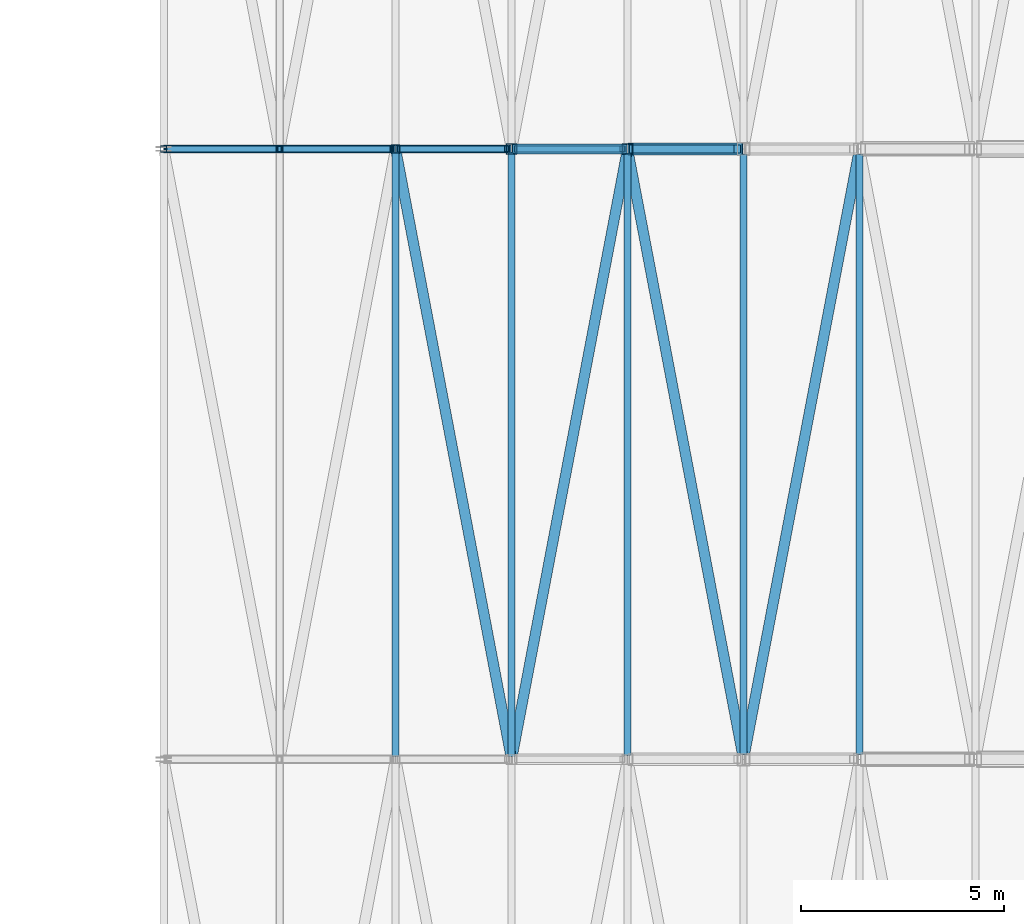
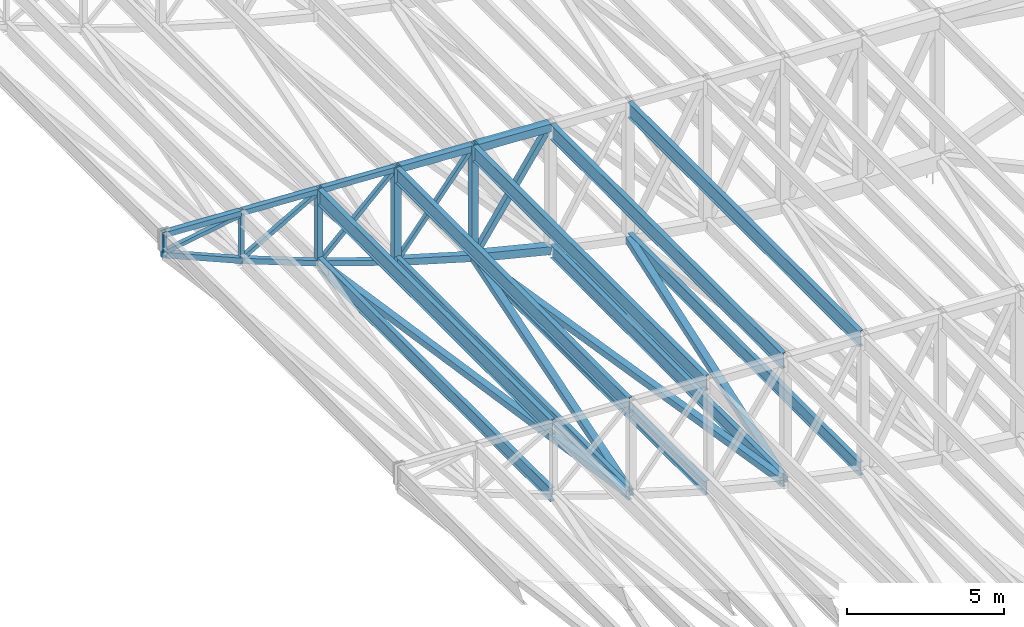
# One storey, part 59 of 278: 19 members, 15 beams.
"""IFC4 building model written with IfcOpenShell, lengths in metres."""

from ifc_helpers import new_model, si_unit, direction, frame, origin, origin_2d, place, context, subcontext, project, spatial, hollow_rectangle, i_section, extrude, material, material_profile, profile_set, type_object, element, save


model = new_model("IFC4")

# Units and contexts
model_context = context("Model", 3, precision=1e-05, world=origin(), true_north=direction((0.0, 1.0)))
body_context = subcontext(model_context, "Body", "Model", "MODEL_VIEW")
ifc_project = project(units=[si_unit("LENGTHUNIT", "METRE"), si_unit("AREAUNIT", "SQUARE_METRE"), si_unit("VOLUMEUNIT", "CUBIC_METRE"), si_unit("PLANEANGLEUNIT", "RADIAN"), si_unit("MASSUNIT", "GRAM", prefix="KILO")], contexts=[model_context])

# Site, building, storey
site_placement = place(None, origin())
site = spatial("IfcSite", under=ifc_project, at=site_placement, CompositionType="ELEMENT")
building_placement = place(site_placement, origin())
building = spatial("IfcBuilding", under=site, at=building_placement, Name="Ogive Plaza Stadium", CompositionType="ELEMENT")
storey_placement = place(building_placement, frame((0.0, 0.0, 29.0)))
storey = spatial("IfcBuildingStorey", under=building, at=storey_placement, Name="Roof", CompositionType="ELEMENT", Elevation=29.0)

# Members
ifc_material_1 = material(Name="Steel ASTM A500 Grade C", Category="steel")
ifc_material_profile_1 = material_profile(ifc_material_1, hollow_rectangle(XDim=0.25390625, YDim=0.25390625, WallThickness=0.0087890625, at=origin_2d()), Name="HSS10X10X3/8")
ifc_profile_set_1 = profile_set([ifc_material_profile_1], Name="Steel ASTM A500 Grade C")
member_type_1 = type_object("IfcMemberType", Name="Roof plan brace HSS10X10X3/8", PredefinedType="BRACE", material=ifc_profile_set_1)
member_1_placement = place(storey_placement, frame((51.21826171875, 22.404052734375, 4.20751953125), z_axis=(0.186305134019, -0.980575459807, -0.061336487198), x_axis=(0.982425223956, 0.186656581279, 0.0)))
element("IfcMember", 1, at=member_1_placement, inside=storey, type_object=member_type_1, Name="ROOF BRACE B03 3", PredefinedType="BRACE", context=body_context, shape_type="SweptSolid", body=[
    extrude(hollow_rectangle(XDim=0.25390625, YDim=0.25390625, WallThickness=0.0087890625, at=origin_2d()), origin(), (0.0, 0.0, 1.0), 15.1015625),
])
member_2_placement = place(storey_placement, frame((54.068115234375, 7.595947265625, 3.27001953125), z_axis=(0.186406461707, 0.981044003163, -0.052965034622), x_axis=(-0.982422964001, 0.186668475654, 0.0)))
element("IfcMember", 2, at=member_2_placement, inside=storey, type_object=member_type_1, Name="ROOF BRACE B03 4", PredefinedType="BRACE", context=body_context, shape_type="SweptSolid", body=[
    extrude(hollow_rectangle(XDim=0.25390625, YDim=0.25390625, WallThickness=0.0087890625, at=origin_2d()), origin(), (0.0, 0.0, 1.0), 15.068359375),
])
member_3_placement = place(storey_placement, frame((56.923095703125, 22.378662109375, 2.459716796875), z_axis=(0.186461324063, -0.981373677857, -0.046237204039), x_axis=(0.982424391989, 0.186660960097, 0.0)))
element("IfcMember", 3, at=member_3_placement, inside=storey, type_object=member_type_1, Name="ROOF BRACE B03 5", PredefinedType="BRACE", context=body_context, shape_type="SweptSolid", body=[
    extrude(hollow_rectangle(XDim=0.25390625, YDim=0.25390625, WallThickness=0.0087890625, at=origin_2d()), origin(), (0.0, 0.0, 1.0), 15.011474609375),
])
member_4_placement = place(storey_placement, frame((59.77783203125, 7.646728515625, 1.753173828125), z_axis=(0.186534960176, 0.981781820104, -0.036182403809), x_axis=(-0.982425109661, 0.186657182843, 0.0)))
element("IfcMember", 4, at=member_4_placement, inside=storey, type_object=member_type_1, Name="ROOF BRACE B03 6", PredefinedType="BRACE", context=body_context, shape_type="SweptSolid", body=[
    extrude(hollow_rectangle(XDim=0.25390625, YDim=0.25390625, WallThickness=0.0087890625, at=origin_2d()), origin(), (0.0, 0.0, 1.0), 14.9794921875),
])
ifc_material_2 = material(Name="Steel ASTM A992 Grade 50", Category="steel")
ifc_material_profile_2 = material_profile(ifc_material_2, i_section(OverallWidth=0.1650390625, OverallDepth=0.524658203125, WebThickness=0.0087890625, FlangeThickness=0.011474609375, at=origin_2d()), Name="W21X44")
ifc_profile_set_2 = profile_set([ifc_material_profile_2], Name="Steel ASTM A992 Grade 50")
member_type_2 = type_object("IfcMemberType", Name="Roof plan strut W21X44", PredefinedType="STRUT", material=ifc_profile_set_2)
for number, where, z_axis, x_axis, name in (
    (5, (51.199951171875, 22.428466796875, 4.213623046875), (0.0, -1.0, 0.0), (1.0, 0.0, 0.0), "ROOF STRUT B03 2"),
    (6, (54.050048828125, 22.428466796875, 3.275146484375), (0.0, -1.0, 0.0), (1.0, 0.0, 0.0), "ROOF STRUT B03 3"),
):
    element("IfcMember", number, at=place(storey_placement, frame(where, z_axis=z_axis, x_axis=x_axis)), inside=storey, type_object=member_type_2, Name=name, PredefinedType="STRUT", context=body_context, shape_type="SweptSolid", body=[
        extrude(i_section(OverallWidth=0.1650390625, OverallDepth=0.524658203125, WebThickness=0.0087890625, FlangeThickness=0.011474609375, at=origin_2d()), origin(), (0.0, 0.0, 1.0), 14.85693359375),
    ])
member_5_placement = place(storey_placement, frame((56.89990234375, 22.403076171875, 2.46533203125), z_axis=(0.0, -1.0, 0.0), x_axis=(1.0, 0.0, 0.0)))
element("IfcMember", 7, at=member_5_placement, inside=storey, type_object=member_type_2, Name="ROOF STRUT B03 4", PredefinedType="STRUT", context=body_context, shape_type="SweptSolid", body=[
    extrude(i_section(OverallWidth=0.1650390625, OverallDepth=0.524658203125, WebThickness=0.0087890625, FlangeThickness=0.011474609375, at=origin_2d()), origin(), (0.0, 0.0, 1.0), 14.80615234375),
])
for number, where, z_axis, x_axis, name in (
    (8, (59.75, 22.377685546875, 1.758544921875), (0.0, -1.0, 0.0), (1.0, 0.0, 0.0), "ROOF STRUT B03 5"),
    (9, (62.60009765625, 22.377685546875, 1.205810546875), (0.0, -1.0, 0.0), (1.0, 0.0, 0.0), "ROOF STRUT B03 6"),
):
    element("IfcMember", number, at=place(storey_placement, frame(where, z_axis=z_axis, x_axis=x_axis)), inside=storey, type_object=member_type_2, Name=name, PredefinedType="STRUT", context=body_context, shape_type="SweptSolid", body=[
        extrude(i_section(OverallWidth=0.1650390625, OverallDepth=0.524658203125, WebThickness=0.0087890625, FlangeThickness=0.011474609375, at=origin_2d()), origin(), (0.0, 0.0, 1.0), 14.75537109375),
    ])
ifc_material_3 = material(Name="Steel ASTM A992 Grade 50", Category="steel")
ifc_material_profile_3 = material_profile(ifc_material_3, i_section(OverallWidth=0.177978515625, OverallDepth=0.5986328125, WebThickness=0.010009765625, FlangeThickness=0.012939453125, at=origin_2d()), Name="W24X55")
ifc_profile_set_3 = profile_set([ifc_material_profile_3], Name="Steel ASTM A992 Grade 50")
member_type_3 = type_object("IfcMemberType", Name="Roof purlin W24X55", PredefinedType="PURLIN", material=ifc_profile_set_3)
for number, where, z_axis, x_axis, name in (
    (10, (51.199951171875, 22.428466796875, 6.840576171875), (0.0, -1.0, 0.0), (1.0, 0.0, 0.0), "ROOF PURLIN B03 2"),
    (11, (54.050048828125, 22.428466796875, 6.6982421875), (0.0, -1.0, 0.0), (1.0, 0.0, 0.0), "ROOF PURLIN B03 3"),
):
    element("IfcMember", number, at=place(storey_placement, frame(where, z_axis=z_axis, x_axis=x_axis)), inside=storey, type_object=member_type_3, Name=name, PredefinedType="PURLIN", context=body_context, shape_type="SweptSolid", body=[
        extrude(i_section(OverallWidth=0.177978515625, OverallDepth=0.5986328125, WebThickness=0.010009765625, FlangeThickness=0.012939453125, at=origin_2d()), origin(), (0.0, 0.0, 1.0), 14.85693359375),
    ])
member_6_placement = place(storey_placement, frame((56.89990234375, 22.403076171875, 6.5556640625), z_axis=(0.0, -1.0, 0.0), x_axis=(1.0, 0.0, 0.0)))
element("IfcMember", 12, at=member_6_placement, inside=storey, type_object=member_type_3, Name="ROOF PURLIN B03 4", PredefinedType="PURLIN", context=body_context, shape_type="SweptSolid", body=[
    extrude(i_section(OverallWidth=0.177978515625, OverallDepth=0.5986328125, WebThickness=0.010009765625, FlangeThickness=0.012939453125, at=origin_2d()), origin(), (0.0, 0.0, 1.0), 14.80615234375),
])
for number, where, z_axis, x_axis, name in (
    (13, (59.75, 22.377685546875, 6.4130859375), (0.0, -1.0, 0.0), (1.0, 0.0, 0.0), "ROOF PURLIN B03 5"),
    (14, (62.60009765625, 22.377685546875, 6.270751953125), (0.0, -1.0, 0.0), (1.0, 0.0, 0.0), "ROOF PURLIN B03 6"),
):
    element("IfcMember", number, at=place(storey_placement, frame(where, z_axis=z_axis, x_axis=x_axis)), inside=storey, type_object=member_type_3, Name=name, PredefinedType="PURLIN", context=body_context, shape_type="SweptSolid", body=[
        extrude(i_section(OverallWidth=0.177978515625, OverallDepth=0.5986328125, WebThickness=0.010009765625, FlangeThickness=0.012939453125, at=origin_2d()), origin(), (0.0, 0.0, 1.0), 14.75537109375),
    ])

# Beams
ifc_material_4 = material(Name="Steel ASTM A500 Grade C", Category="steel")
ifc_material_profile_4 = material_profile(ifc_material_4, hollow_rectangle(XDim=0.25390625, YDim=0.25390625, WallThickness=0.01171875, at=origin_2d()), Name="HSS10X10X1/2")
ifc_profile_set_4 = profile_set([ifc_material_profile_4], Name="Steel ASTM A500 Grade C")
beam_type_1 = type_object("IfcBeamType", Name="Roof truss bottom chord HSS10X10X1/2", PredefinedType="BEAM", material=ifc_profile_set_4)
beam_1_placement = place(storey_placement, frame((54.10009765625, 22.5, 3.265869140625), z_axis=(0.959640437259, 0.0, -0.281229854705), x_axis=(0.0, 1.0, 0.0)))
element("IfcBeam", 15, at=beam_1_placement, inside=storey, type_object=beam_type_1, Name="ROOF TRUSS T03 BOTTOM CHORD 4", PredefinedType="BEAM", context=body_context, shape_type="SweptSolid", body=[
    extrude(hollow_rectangle(XDim=0.25390625, YDim=0.25390625, WallThickness=0.01171875, at=origin_2d()), origin(), (0.0, 0.0, 1.0), 2.86572265625),
])
ifc_material_5 = material(Name="Steel ASTM A500 Grade C", Category="steel")
ifc_material_profile_5 = material_profile(ifc_material_5, hollow_rectangle(XDim=0.3046875, YDim=0.3046875, WallThickness=0.0146484375, at=origin_2d()), Name="HSS12X12X5/8")
ifc_profile_set_5 = profile_set([ifc_material_profile_5], Name="Steel ASTM A500 Grade C")
beam_type_2 = type_object("IfcBeamType", Name="Roof truss bottom chord HSS12X12X5/8", PredefinedType="BEAM", material=ifc_profile_set_5)
beam_2_placement = place(storey_placement, frame((56.949951171875, 22.5, 2.45751953125), z_axis=(0.970607032995, 0.0, -0.240669872439), x_axis=(0.0, 1.0, 0.0)))
element("IfcBeam", 16, at=beam_2_placement, inside=storey, type_object=beam_type_2, Name="ROOF TRUSS T03 BOTTOM CHORD 5", PredefinedType="BEAM", context=body_context, shape_type="SweptSolid", body=[
    extrude(hollow_rectangle(XDim=0.3046875, YDim=0.3046875, WallThickness=0.0146484375, at=origin_2d()), origin(), (0.0, 0.0, 1.0), 2.833251953125),
])
ifc_material_6 = material(Name="Steel ASTM A500 Grade C", Category="steel")
ifc_material_profile_6 = material_profile(ifc_material_6, hollow_rectangle(XDim=0.203125, YDim=0.203125, WallThickness=0.01171875, at=origin_2d()), Name="HSS8X8X1/2")
ifc_profile_set_6 = profile_set([ifc_material_profile_6], Name="Steel ASTM A500 Grade C")
beam_type_3 = type_object("IfcBeamType", Name="Roof truss bottom chord HSS8X8X1/2", PredefinedType="BEAM", material=ifc_profile_set_6)
beam_3_placement = place(storey_placement, frame((45.5400390625, 22.5, 6.518310546875), z_axis=(0.919215459426, 0.0, -0.393754922702), x_axis=(0.0, 1.0, 0.0)))
element("IfcBeam", 17, at=beam_3_placement, inside=storey, type_object=beam_type_3, Name="ROOF TRUSS T03 BOTTOM CHORD 1", PredefinedType="BEAM", context=body_context, shape_type="SweptSolid", body=[
    extrude(hollow_rectangle(XDim=0.203125, YDim=0.203125, WallThickness=0.01171875, at=origin_2d()), origin(), (0.0, 0.0, 1.0), 3.04736328125),
])
beam_4_placement = place(storey_placement, frame((48.386474609375, 22.5, 5.299072265625), z_axis=(0.933780874892, 0.0, -0.357845326484), x_axis=(0.0, 1.0, 0.0)))
element("IfcBeam", 18, at=beam_4_placement, inside=storey, type_object=beam_type_3, Name="ROOF TRUSS T03 BOTTOM CHORD 2", PredefinedType="BEAM", context=body_context, shape_type="SweptSolid", body=[
    extrude(hollow_rectangle(XDim=0.203125, YDim=0.203125, WallThickness=0.01171875, at=origin_2d()), origin(), (0.0, 0.0, 1.0), 2.97314453125),
])
beam_5_placement = place(storey_placement, frame((51.24072265625, 22.5, 4.20556640625), z_axis=(0.947299736415, 0.0, -0.320348574817), x_axis=(0.0, 1.0, 0.0)))
element("IfcBeam", 19, at=beam_5_placement, inside=storey, type_object=beam_type_3, Name="ROOF TRUSS T03 BOTTOM CHORD 3", PredefinedType="BEAM", context=body_context, shape_type="SweptSolid", body=[
    extrude(hollow_rectangle(XDim=0.203125, YDim=0.203125, WallThickness=0.01171875, at=origin_2d()), origin(), (0.0, 0.0, 1.0), 2.912841796875),
])

# Members
ifc_material_7 = material(Name="Steel ASTM A500 Grade C", Category="steel")
ifc_material_profile_7 = material_profile(ifc_material_7, hollow_rectangle(XDim=0.15234375, YDim=0.15234375, WallThickness=0.005859375, at=origin_2d()), Name="HSS6X6X1/4")
ifc_profile_set_7 = profile_set([ifc_material_profile_7], Name="Steel ASTM A500 Grade C")
member_type_4 = type_object("IfcMemberType", Name="Roof truss diagonal HSS6X6X1/4", PredefinedType="BRACE", material=ifc_profile_set_7)
member_7_placement = place(storey_placement, frame((45.576171875, 22.5, 6.628173828125), z_axis=(0.986299671123, 0.0, 0.164963507307), x_axis=(0.0, 1.0, 0.0)))
element("IfcMember", 20, at=member_7_placement, inside=storey, type_object=member_type_4, Name="ROOF TRUSS T03 DIAGONAL 1", PredefinedType="BRACE", context=body_context, shape_type="SweptSolid", body=[
    extrude(hollow_rectangle(XDim=0.15234375, YDim=0.15234375, WallThickness=0.005859375, at=origin_2d()), origin(), (0.0, 0.0, 1.0), 2.73486328125),
])
member_8_placement = place(storey_placement, frame((48.42626953125, 22.5, 5.407470703125), z_axis=(0.8679111184, 0.0, 0.496719529069), x_axis=(0.0, 1.0, 0.0)))
element("IfcMember", 21, at=member_8_placement, inside=storey, type_object=member_type_4, Name="ROOF TRUSS T03 DIAGONAL 2", PredefinedType="BRACE", context=body_context, shape_type="SweptSolid", body=[
    extrude(hollow_rectangle(XDim=0.15234375, YDim=0.15234375, WallThickness=0.005859375, at=origin_2d()), origin(), (0.0, 0.0, 1.0), 3.078857421875),
])
ifc_material_8 = material(Name="Steel ASTM A500 Grade C", Category="steel")
ifc_material_profile_8 = material_profile(ifc_material_8, hollow_rectangle(XDim=0.15234375, YDim=0.15234375, WallThickness=0.0087890625, at=origin_2d()), Name="HSS6X6X3/8")
ifc_profile_set_8 = profile_set([ifc_material_profile_8], Name="Steel ASTM A500 Grade C")
member_type_5 = type_object("IfcMemberType", Name="Roof truss diagonal HSS6X6X3/8", PredefinedType="BRACE", material=ifc_profile_set_8)
member_9_placement = place(storey_placement, frame((51.301513671875, 22.5, 4.315185546875), z_axis=(0.726588919749, 0.0, 0.687072442832), x_axis=(0.0, 1.0, 0.0)))
element("IfcMember", 22, at=member_9_placement, inside=storey, type_object=member_type_5, Name="ROOF TRUSS T03 DIAGONAL 3", PredefinedType="BRACE", context=body_context, shape_type="SweptSolid", body=[
    extrude(hollow_rectangle(XDim=0.15234375, YDim=0.15234375, WallThickness=0.0087890625, at=origin_2d()), origin(), (0.0, 0.0, 1.0), 3.608154296875),
])
member_10_placement = place(storey_placement, frame((54.177001953125, 22.5, 3.40234375), z_axis=(0.630150764463, 0.0, 0.77647280316), x_axis=(0.0, 1.0, 0.0)))
element("IfcMember", 23, at=member_10_placement, inside=storey, type_object=member_type_5, Name="ROOF TRUSS T03 DIAGONAL 4", PredefinedType="BRACE", context=body_context, shape_type="SweptSolid", body=[
    extrude(hollow_rectangle(XDim=0.15234375, YDim=0.15234375, WallThickness=0.0087890625, at=origin_2d()), origin(), (0.0, 0.0, 1.0), 4.11962890625),
])
ifc_material_9 = material(Name="Steel ASTM A500 Grade C", Category="steel")
ifc_material_profile_9 = material_profile(ifc_material_9, hollow_rectangle(XDim=0.203125, YDim=0.203125, WallThickness=0.0087890625, at=origin_2d()), Name="HSS8X8X3/8")
ifc_profile_set_9 = profile_set([ifc_material_profile_9], Name="Steel ASTM A500 Grade C")
member_type_6 = type_object("IfcMemberType", Name="Roof truss diagonal HSS8X8X3/8", PredefinedType="BRACE", material=ifc_profile_set_9)
member_11_placement = place(storey_placement, frame((57.027099609375, 22.5, 2.617919921875), z_axis=(0.561338440243, 0.0, 0.827586343233), x_axis=(0.0, 1.0, 0.0)))
element("IfcMember", 24, at=member_11_placement, inside=storey, type_object=member_type_6, Name="ROOF TRUSS T03 DIAGONAL 5", PredefinedType="BRACE", context=body_context, shape_type="SweptSolid", body=[
    extrude(hollow_rectangle(XDim=0.203125, YDim=0.203125, WallThickness=0.0087890625, at=origin_2d()), origin(), (0.0, 0.0, 1.0), 4.579345703125),
])

# Beams
ifc_material_10 = material(Name="Steel ASTM A500 Grade C", Category="steel")
ifc_material_profile_10 = material_profile(ifc_material_10, hollow_rectangle(XDim=0.25390625, YDim=0.25390625, WallThickness=0.01171875, at=origin_2d()), Name="HSS10X10X1/2")
ifc_profile_set_10 = profile_set([ifc_material_profile_10], Name="Steel ASTM A500 Grade C")
beam_type_4 = type_object("IfcBeamType", Name="Roof truss post HSS10X10X1/2", PredefinedType="BEAM", material=ifc_profile_set_10)
beam_6_placement = place(storey_placement, frame((54.050048828125, 22.5, 3.148193359375), z_axis=(0.0, 0.0, 1.0), x_axis=(0.0, 1.0, 0.0)))
element("IfcBeam", 25, at=beam_6_placement, inside=storey, type_object=beam_type_4, Name="ROOF TRUSS T03 POST 4", PredefinedType="BEAM", context=body_context, shape_type="SweptSolid", body=[
    extrude(hollow_rectangle(XDim=0.25390625, YDim=0.25390625, WallThickness=0.01171875, at=origin_2d()), origin(), (0.0, 0.0, 1.0), 3.849365234375),
])
beam_7_placement = place(storey_placement, frame((56.89990234375, 22.5, 2.31298828125), z_axis=(0.0, 0.0, 1.0), x_axis=(0.0, 1.0, 0.0)))
element("IfcBeam", 26, at=beam_7_placement, inside=storey, type_object=beam_type_4, Name="ROOF TRUSS T03 POST 5", PredefinedType="BEAM", context=body_context, shape_type="SweptSolid", body=[
    extrude(hollow_rectangle(XDim=0.25390625, YDim=0.25390625, WallThickness=0.01171875, at=origin_2d()), origin(), (0.0, 0.0, 1.0), 4.5419921875),
])
ifc_material_11 = material(Name="Steel ASTM A500 Grade C", Category="steel")
ifc_material_profile_11 = material_profile(ifc_material_11, hollow_rectangle(XDim=0.15234375, YDim=0.15234375, WallThickness=0.0087890625, at=origin_2d()), Name="HSS6X6X3/8")
ifc_profile_set_11 = profile_set([ifc_material_profile_11], Name="Steel ASTM A500 Grade C")
beam_type_5 = type_object("IfcBeamType", Name="Roof truss post HSS6X6X3/8", PredefinedType="BEAM", material=ifc_profile_set_11)
beam_8_placement = place(storey_placement, frame((45.5, 22.5, 6.425048828125), z_axis=(0.0, 0.0, 1.0), x_axis=(0.0, 1.0, 0.0)))
element("IfcBeam", 27, at=beam_8_placement, inside=storey, type_object=beam_type_5, Name="ROOF TRUSS T03 POST 1", PredefinedType="BEAM", context=body_context, shape_type="SweptSolid", body=[
    extrude(hollow_rectangle(XDim=0.15234375, YDim=0.15234375, WallThickness=0.0087890625, at=origin_2d()), origin(), (0.0, 0.0, 1.0), 1.0),
])
beam_9_placement = place(storey_placement, frame((48.35009765625, 22.5, 5.204345703125), z_axis=(0.0, 0.0, 1.0), x_axis=(0.0, 1.0, 0.0)))
element("IfcBeam", 28, at=beam_9_placement, inside=storey, type_object=beam_type_5, Name="ROOF TRUSS T03 POST 2", PredefinedType="BEAM", context=body_context, shape_type="SweptSolid", body=[
    extrude(hollow_rectangle(XDim=0.15234375, YDim=0.15234375, WallThickness=0.0087890625, at=origin_2d()), origin(), (0.0, 0.0, 1.0), 2.078125),
])
ifc_material_12 = material(Name="Steel ASTM A500 Grade C", Category="steel")
ifc_material_profile_12 = material_profile(ifc_material_12, hollow_rectangle(XDim=0.203125, YDim=0.203125, WallThickness=0.0087890625, at=origin_2d()), Name="HSS8X8X3/8")
ifc_profile_set_12 = profile_set([ifc_material_profile_12], Name="Steel ASTM A500 Grade C")
beam_type_6 = type_object("IfcBeamType", Name="Roof truss post HSS8X8X3/8", PredefinedType="BEAM", material=ifc_profile_set_12)
beam_10_placement = place(storey_placement, frame((51.199951171875, 22.5, 4.112060546875), z_axis=(0.0, 0.0, 1.0), x_axis=(0.0, 1.0, 0.0)))
element("IfcBeam", 29, at=beam_10_placement, inside=storey, type_object=beam_type_6, Name="ROOF TRUSS T03 POST 3", PredefinedType="BEAM", context=body_context, shape_type="SweptSolid", body=[
    extrude(hollow_rectangle(XDim=0.203125, YDim=0.203125, WallThickness=0.0087890625, at=origin_2d()), origin(), (0.0, 0.0, 1.0), 3.02783203125),
])
ifc_material_13 = material(Name="Steel ASTM A500 Grade C", Category="steel")
ifc_material_profile_13 = material_profile(ifc_material_13, hollow_rectangle(XDim=0.25390625, YDim=0.25390625, WallThickness=0.0087890625, at=origin_2d()), Name="HSS10X10X3/8")
ifc_profile_set_13 = profile_set([ifc_material_profile_13], Name="Steel ASTM A500 Grade C")
beam_type_7 = type_object("IfcBeamType", Name="Roof truss top chord HSS10X10X3/8", PredefinedType="BEAM", material=ifc_profile_set_13)
beam_11_placement = place(storey_placement, frame((54.10009765625, 22.5, 6.867919921875), z_axis=(0.998748798523, 0.0, -0.05000837379), x_axis=(0.0, 1.0, 0.0)))
element("IfcBeam", 30, at=beam_11_placement, inside=storey, type_object=beam_type_7, Name="ROOF TRUSS T03 TOP CHORD 4", PredefinedType="BEAM", context=body_context, shape_type="SweptSolid", body=[
    extrude(hollow_rectangle(XDim=0.25390625, YDim=0.25390625, WallThickness=0.0087890625, at=origin_2d()), origin(), (0.0, 0.0, 1.0), 2.75341796875),
])
ifc_material_14 = material(Name="Steel ASTM A500 Grade C", Category="steel")
ifc_material_profile_14 = material_profile(ifc_material_14, hollow_rectangle(XDim=0.3046875, YDim=0.3046875, WallThickness=0.0087890625, at=origin_2d()), Name="HSS12X12X3/8")
ifc_profile_set_14 = profile_set([ifc_material_profile_14], Name="Steel ASTM A500 Grade C")
beam_type_8 = type_object("IfcBeamType", Name="Roof truss top chord HSS12X12X3/8", PredefinedType="BEAM", material=ifc_profile_set_14)
beam_12_placement = place(storey_placement, frame((56.949951171875, 22.5, 6.699951171875), z_axis=(0.998753223187, 0.0, -0.049919927615), x_axis=(0.0, 1.0, 0.0)))
element("IfcBeam", 31, at=beam_12_placement, inside=storey, type_object=beam_type_8, Name="ROOF TRUSS T03 TOP CHORD 5", PredefinedType="BEAM", context=body_context, shape_type="SweptSolid", body=[
    extrude(hollow_rectangle(XDim=0.3046875, YDim=0.3046875, WallThickness=0.0087890625, at=origin_2d()), origin(), (0.0, 0.0, 1.0), 2.75341796875),
])
ifc_material_15 = material(Name="Steel ASTM A500 Grade C", Category="steel")
ifc_material_profile_15 = material_profile(ifc_material_15, hollow_rectangle(XDim=0.203125, YDim=0.203125, WallThickness=0.0087890625, at=origin_2d()), Name="HSS8X8X3/8")
ifc_profile_set_15 = profile_set([ifc_material_profile_15], Name="Steel ASTM A500 Grade C")
beam_type_9 = type_object("IfcBeamType", Name="Roof truss top chord HSS8X8X3/8", PredefinedType="BEAM", material=ifc_profile_set_15)
beam_13_placement = place(storey_placement, frame((45.541259765625, 22.5, 7.3212890625), z_axis=(0.998751459876, 0.0, -0.049955193873), x_axis=(0.0, 1.0, 0.0)))
element("IfcBeam", 32, at=beam_13_placement, inside=storey, type_object=beam_type_9, Name="ROOF TRUSS T03 TOP CHORD 1", PredefinedType="BEAM", context=body_context, shape_type="SweptSolid", body=[
    extrude(hollow_rectangle(XDim=0.203125, YDim=0.203125, WallThickness=0.0087890625, at=origin_2d()), origin(), (0.0, 0.0, 1.0), 2.77099609375),
])
beam_14_placement = place(storey_placement, frame((48.39111328125, 22.5, 7.1787109375), z_axis=(0.998752338878, 0.0, -0.049937616944), x_axis=(0.0, 1.0, 0.0)))
element("IfcBeam", 33, at=beam_14_placement, inside=storey, type_object=beam_type_9, Name="ROOF TRUSS T03 TOP CHORD 2", PredefinedType="BEAM", context=body_context, shape_type="SweptSolid", body=[
    extrude(hollow_rectangle(XDim=0.203125, YDim=0.203125, WallThickness=0.0087890625, at=origin_2d()), origin(), (0.0, 0.0, 1.0), 2.76220703125),
])
beam_15_placement = place(storey_placement, frame((51.25, 22.5, 7.035888671875), z_axis=(0.998748798523, 0.0, -0.05000837379), x_axis=(0.0, 1.0, 0.0)))
element("IfcBeam", 34, at=beam_15_placement, inside=storey, type_object=beam_type_9, Name="ROOF TRUSS T03 TOP CHORD 3", PredefinedType="BEAM", context=body_context, shape_type="SweptSolid", body=[
    extrude(hollow_rectangle(XDim=0.203125, YDim=0.203125, WallThickness=0.0087890625, at=origin_2d()), origin(), (0.0, 0.0, 1.0), 2.75341796875),
])

save(model, "model.ifc")
